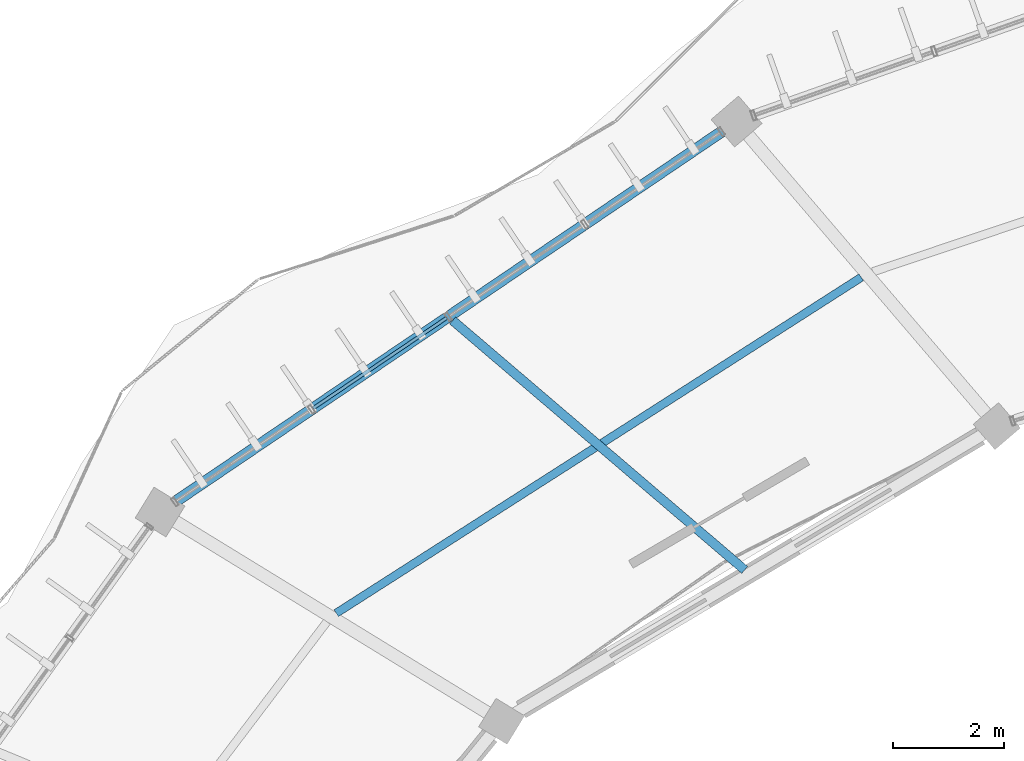
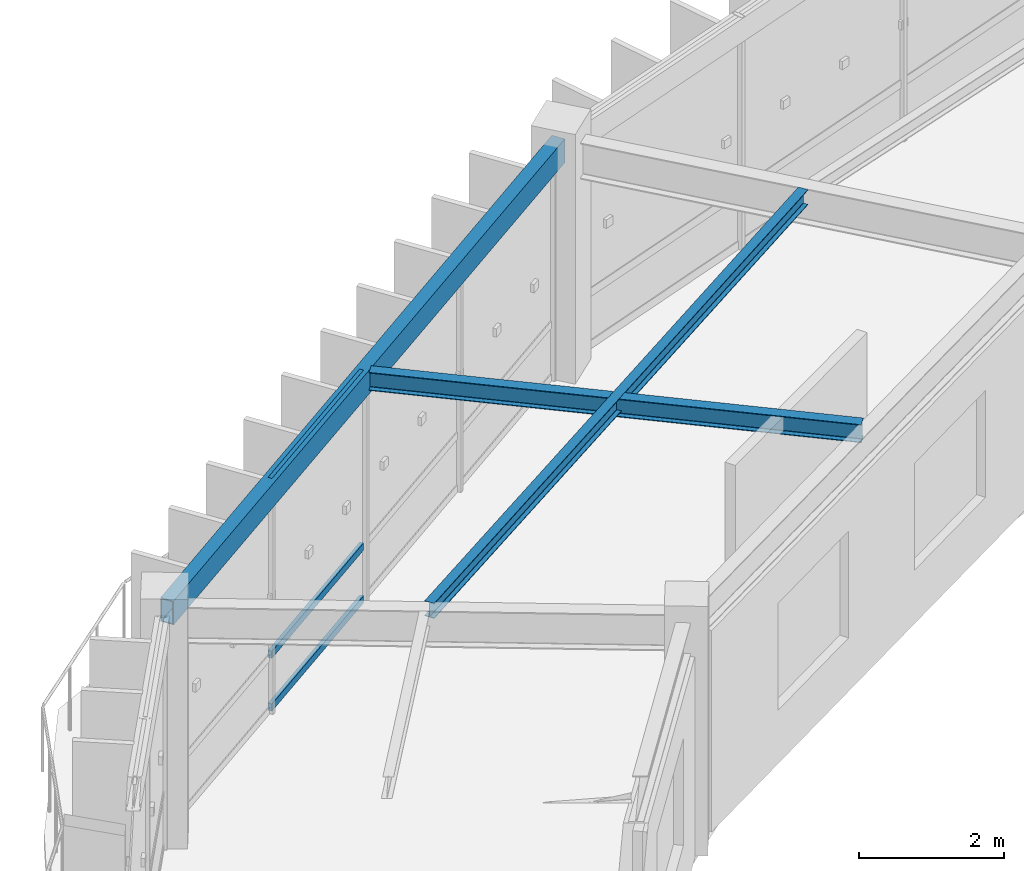
# One storey, part 40 of 114: 3 beams, 3 members, 1 element without a shape of its own.
"""IFC4 building model written with IfcOpenShell, lengths in metres."""

from ifc_helpers import new_model, si_unit, direction, frame, origin, origin_2d, place, context, subcontext, project, spatial, hollow_rectangle, i_section, extrude, material, material_profile, profile_set, type_object, element, aggregate, save


model = new_model("IFC4")

# Units and contexts
model_context = context("Model", 3, precision=1e-05, world=origin(), true_north=direction((0.0, 1.0)))
body_context = subcontext(model_context, "Body", "Model", "MODEL_VIEW")
ifc_project = project(units=[si_unit("LENGTHUNIT", "METRE"), si_unit("AREAUNIT", "SQUARE_METRE"), si_unit("VOLUMEUNIT", "CUBIC_METRE"), si_unit("PLANEANGLEUNIT", "RADIAN"), si_unit("MASSUNIT", "GRAM", prefix="KILO"), si_unit("THERMODYNAMICTEMPERATUREUNIT", "KELVIN"), si_unit("POWERUNIT", "WATT")], contexts=[model_context])

# Site, building, storey
site_placement = place(None, origin())
site = spatial("IfcSite", under=ifc_project, at=site_placement, CompositionType="ELEMENT")
building_placement = place(site_placement, origin())
building = spatial("IfcBuilding", under=site, at=building_placement, Name="Darbajah Civic Hall", CompositionType="ELEMENT")
storey_placement = place(building_placement, frame((0.0, 0.0, 13.800048828125)))
storey = spatial("IfcBuildingStorey", under=building, at=storey_placement, Name="L03", CompositionType="ELEMENT", Elevation=13.800048828125)

# Curtain wall, members
ifc_material_1 = material(Name="Anodised Bronze Aluminium and Low-E Glazing", Category="aluminium")
curtain_wall_type = type_object("IfcCurtainWallType", Name="Unitised Curtain Wall CW-58 11900x3900", PredefinedType="USERDEFINED", material=ifc_material_1)
curtain_wall_placement = place(storey_placement, origin())
curtain_wall = element("IfcCurtainWall", 1, at=curtain_wall_placement, inside=storey, type_object=curtain_wall_type, Name="L03 unitised curtain wall CW-V1O-L03-07", ObjectType="UNITISED CURTAIN WALL", PredefinedType="USERDEFINED")
ifc_material_2 = material(Name="Anodised Bronze Aluminium", Category="aluminium")
ifc_material_profile_1 = material_profile(ifc_material_2, hollow_rectangle(XDim=0.06005859375, YDim=0.1201171875, WallThickness=0.003173828125, at=origin_2d()), Name="ALU TRANSOM 60x120")
ifc_profile_set_1 = profile_set([ifc_material_profile_1], Name="Anodised Bronze Aluminium")
member_type = type_object("IfcMemberType", Name="ALU TRANSOM 60x120", PredefinedType="USERDEFINED", material=ifc_profile_set_1)
member_1_placement = place(storey_placement, frame((50.767822265625, 108.703125, 0.06005859375), z_axis=(-0.828007088268, -0.560717631057, 0.0), x_axis=(0.560717631057, -0.828007088268, 0.0)))
member_1 = element("IfcMember", 2, at=member_1_placement, type_object=member_type, Name="CW-V1O-L03-07 transom 3.1", ObjectType="TRANSOM", PredefinedType="USERDEFINED", context=body_context, shape_type="SweptSolid", body=[
    extrude(hollow_rectangle(XDim=0.06005859375, YDim=0.1201171875, WallThickness=0.003173828125, at=origin_2d()), origin(), (0.0, 0.0, 1.0), 2.8955078125),
])
member_2_placement = place(storey_placement, frame((50.767822265625, 108.703125, 0.949951171875), z_axis=(-0.828007088268, -0.560717631057, 0.0), x_axis=(0.560717631057, -0.828007088268, 0.0)))
member_2 = element("IfcMember", 3, at=member_2_placement, type_object=member_type, Name="CW-V1O-L03-07 transom 3.2", ObjectType="TRANSOM", PredefinedType="USERDEFINED", context=body_context, shape_type="SweptSolid", body=[
    extrude(hollow_rectangle(XDim=0.06005859375, YDim=0.1201171875, WallThickness=0.003173828125, at=origin_2d()), origin(), (0.0, 0.0, 1.0), 2.8955078125),
])
member_3_placement = place(storey_placement, frame((50.767822265625, 108.703125, 3.85986328125), z_axis=(-0.828007088268, -0.560717631057, 0.0), x_axis=(0.560717631057, -0.828007088268, 0.0)))
member_3 = element("IfcMember", 4, at=member_3_placement, type_object=member_type, Name="CW-V1O-L03-07 transom 3.3", ObjectType="TRANSOM", PredefinedType="USERDEFINED", context=body_context, shape_type="SweptSolid", body=[
    extrude(hollow_rectangle(XDim=0.06005859375, YDim=0.1201171875, WallThickness=0.003173828125, at=origin_2d()), origin(), (0.0, 0.0, 1.0), 2.8955078125),
])
aggregate(curtain_wall, [member_1, member_2, member_3])

# Beams
ifc_material_3 = material(Name="Steel S355JR", Category="steel")
ifc_material_profile_2 = material_profile(ifc_material_3, hollow_rectangle(XDim=0.199951171875, YDim=0.39990234375, WallThickness=0.013916015625, at=origin_2d()), Name="RHS 400x200x14")
ifc_profile_set_2 = profile_set([ifc_material_profile_2], Name="Steel S355JR")
beam_type_1 = type_object("IfcBeamType", Name="RHS 400x200x14", PredefinedType="SPANDREL", material=ifc_profile_set_2)
beam_1_placement = place(storey_placement, frame((55.911865234375, 112.18701171875, 3.719970703125), z_axis=(-0.827982022698, -0.560754643394, 0.0), x_axis=(0.560754643394, -0.827982022698, 0.0)))
element("IfcBeam", 5, at=beam_1_placement, inside=storey, type_object=beam_type_1, Name="L03 beam SP-RHS400", PredefinedType="SPANDREL", context=body_context, shape_type="SweptSolid", body=[
    extrude(hollow_rectangle(XDim=0.199951171875, YDim=0.39990234375, WallThickness=0.013916015625, at=origin_2d()), origin(), (0.0, 0.0, 1.0), 12.355712890625),
])
ifc_material_profile_3 = material_profile(ifc_material_3, i_section(OverallWidth=0.146484375, OverallDepth=0.256103515625, WebThickness=0.00634765625, FlangeThickness=0.010986328125, FilletRadius=0.007568359375, at=origin_2d()), Name="UB 254x146x37")
ifc_profile_set_3 = profile_set([ifc_material_profile_3], Name="Steel S355JR")
beam_type_2 = type_object("IfcBeamType", Name="UB 254x146x37", PredefinedType="JOIST", material=ifc_profile_set_3)
beam_2_placement = place(storey_placement, frame((58.218505859375, 109.431884765625, 3.7919921875), z_axis=(-0.842364011789, -0.538908964152, 0.0), x_axis=(0.538908964152, -0.842364011789, 0.0)))
element("IfcBeam", 6, at=beam_2_placement, inside=storey, type_object=beam_type_2, Name="L03 beam SJ-254", PredefinedType="JOIST", context=body_context, shape_type="SweptSolid", body=[
    extrude(i_section(OverallWidth=0.146484375, OverallDepth=0.256103515625, WebThickness=0.00634765625, FlangeThickness=0.010986328125, FilletRadius=0.007568359375, at=origin_2d()), origin(), (0.0, 0.0, 1.0), 11.20166015625),
])
ifc_material_profile_4 = material_profile(ifc_material_3, i_section(OverallWidth=0.165771484375, OverallDepth=0.306640625, WebThickness=0.006591796875, FlangeThickness=0.01171875, FilletRadius=0.0087890625, at=origin_2d()), Name="UB 305x165x46")
ifc_profile_set_4 = profile_set([ifc_material_profile_4], Name="Steel S355JR")
beam_type_3 = type_object("IfcBeamType", Name="UB 305x165x46", PredefinedType="JOIST", material=ifc_profile_set_4)
beam_3_placement = place(storey_placement, frame((56.123779296875, 104.173095703125, 3.7666015625), z_axis=(-0.760413700639, 0.649438991654, 0.0), x_axis=(-0.649438991654, -0.760413700639, 0.0)))
element("IfcBeam", 7, at=beam_3_placement, inside=storey, type_object=beam_type_3, Name="L03 beam SJ-305", PredefinedType="JOIST", context=body_context, shape_type="SweptSolid", body=[
    extrude(i_section(OverallWidth=0.165771484375, OverallDepth=0.306640625, WebThickness=0.006591796875, FlangeThickness=0.01171875, FilletRadius=0.0087890625, at=origin_2d()), origin(), (0.0, 0.0, 1.0), 6.903564453125),
])

save(model, "model.ifc")
